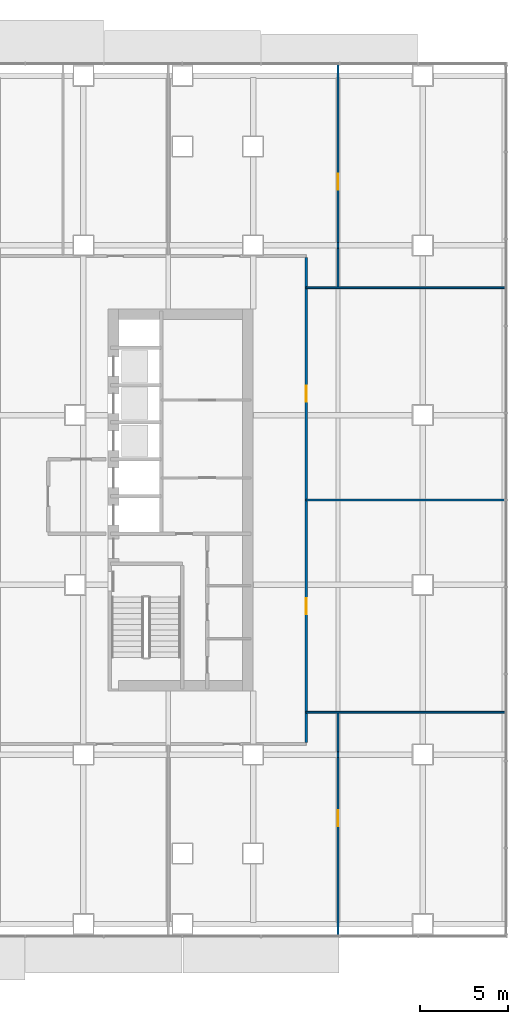
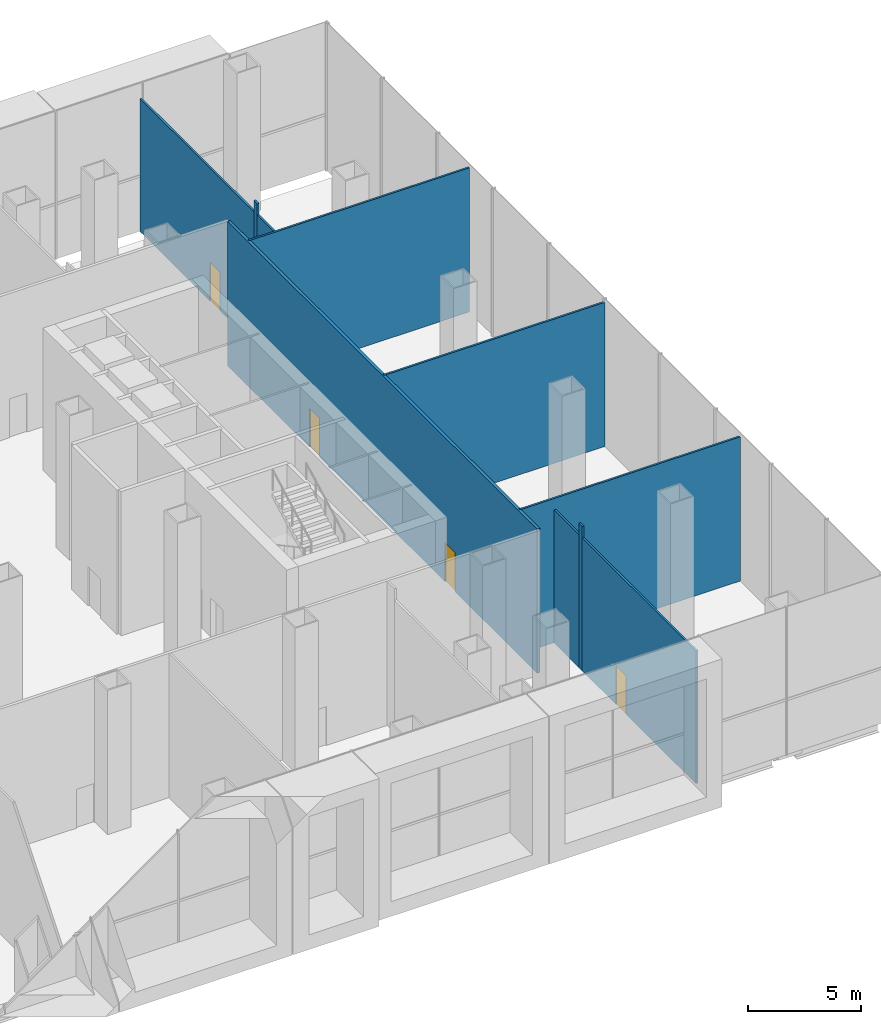
# One storey, part 19 of 24: 10 walls, 4 doors, 4 openings.
"""IFC4 building model written with IfcOpenShell, lengths in metres."""

from ifc_helpers import new_model, si_unit, direction, frame, frame_2d, origin, place, context, subcontext, project, spatial, rectangle, extrude, material, layer, layer_set, type_object, element, fill, save


model = new_model("IFC4")

# Units and contexts
model_context = context("Model", 3, precision=1e-05, world=origin(), true_north=direction((0.0, 1.0)))
body_context = subcontext(model_context, "Body", "Model", "MODEL_VIEW")
ifc_project = project(units=[si_unit("LENGTHUNIT", "METRE"), si_unit("AREAUNIT", "SQUARE_METRE"), si_unit("VOLUMEUNIT", "CUBIC_METRE"), si_unit("PLANEANGLEUNIT", "RADIAN"), si_unit("MASSUNIT", "GRAM", prefix="KILO")], contexts=[model_context])

# Site, building, storey
site_placement = place(None, origin())
site = spatial("IfcSite", under=ifc_project, at=site_placement, CompositionType="ELEMENT")
building_placement = place(site_placement, origin())
building = spatial("IfcBuilding", under=site, at=building_placement, Name="Cobrizo Arcos Hotel Tower", CompositionType="ELEMENT")
storey_placement = place(building_placement, frame((0.0, 0.0, 7.5)))
storey = spatial("IfcBuildingStorey", under=building, at=storey_placement, Name="L01", CompositionType="ELEMENT", Elevation=7.5)

# Wall, openings, doors
ifc_material_1 = material(Name="Gypsum board partition")
ifc_layer_1 = layer(ifc_material_1, 0.14990234375)
ifc_layer_set_1 = layer_set([ifc_layer_1], Name="Corridor wall EI 60 150")
wall_type_1 = type_object("IfcWallType", Name="Corridor wall EI 60 150", PredefinedType="PARTITIONING", material=ifc_layer_set_1)
wall_1_placement = place(storey_placement, frame((27.0, -13.72509765625, 0.0), z_axis=(0.0, 0.0, 1.0), x_axis=(0.0, 1.0, 0.0)))
wall_1 = element("IfcWall", 1, at=wall_1_placement, inside=storey, type_object=wall_type_1, Name="Partition 072", PredefinedType="PARTITIONING", context=body_context, shape_type="SweptSolid", body=[
    extrude(rectangle(XDim=27.4501953125, YDim=0.14990234375, at=frame_2d((13.72509765625, 0.0))), origin(), (0.0, 0.0, 1.0), 7.800048828125),
])
opening_1_placement = place(wall_1_placement, frame((7.27490234375, 0.0, 0.0)))
opening_1 = element("IfcOpeningElement", 2, at=opening_1_placement, cuts=wall_1, Name="Opening RD-23", PredefinedType="OPENING", context=body_context, shape_type="SweptSolid", body=[
    extrude(rectangle(XDim=0.89990234375, YDim=2.10009765625, at=frame_2d((0.449951171875, 1.050048828125))), frame((0.0, 0.0869140625, 0.0), z_axis=(0.0, -1.0, 0.0), x_axis=(1.0, 0.0, 0.0)), (0.0, 0.0, 1.0), 0.173828125),
])
opening_2_placement = place(wall_1_placement, frame((19.27490234375, 0.0, 0.0)))
opening_2 = element("IfcOpeningElement", 3, at=opening_2_placement, cuts=wall_1, Name="Opening RD-24", PredefinedType="OPENING", context=body_context, shape_type="SweptSolid", body=[
    extrude(rectangle(XDim=0.89990234375, YDim=2.10009765625, at=frame_2d((0.449951171875, 1.050048828125))), frame((0.0, 0.0869140625, 0.0), z_axis=(0.0, -1.0, 0.0), x_axis=(1.0, 0.0, 0.0)), (0.0, 0.0, 1.0), 0.173828125),
])
ifc_material_2 = material(Name="Timber door leaf", Category="wood")
door_type = type_object("IfcDoorType", Name="Room door FD30 900x2100", OperationType="SINGLE_SWING_LEFT", PredefinedType="DOOR", material=ifc_material_2)
door_1_placement = place(opening_1_placement, origin())
door_1 = element("IfcDoor", 4, at=door_1_placement, inside=storey, type_object=door_type, Name="Door RD-23", OperationType="SINGLE_SWING_LEFT", OverallHeight=2.10009765625, OverallWidth=0.89990234375, PredefinedType="DOOR", context=body_context, shape_type="SweptSolid", body=[
    extrude(rectangle(XDim=0.89990234375, YDim=2.10009765625, at=frame_2d((0.449951171875, 1.050048828125))), frame((0.0, 0.02490234375, 0.0), z_axis=(0.0, -1.0, 0.0), x_axis=(1.0, 0.0, 0.0)), (0.0, 0.0, 1.0), 0.050048828125),
])
fill(opening_1, door_1)
door_2_placement = place(opening_2_placement, origin())
door_2 = element("IfcDoor", 5, at=door_2_placement, inside=storey, type_object=door_type, Name="Door RD-24", OperationType="SINGLE_SWING_LEFT", OverallHeight=2.10009765625, OverallWidth=0.89990234375, PredefinedType="DOOR", context=body_context, shape_type="SweptSolid", body=[
    extrude(rectangle(XDim=0.89990234375, YDim=2.10009765625, at=frame_2d((0.449951171875, 1.050048828125))), frame((0.0, 0.02490234375, 0.0), z_axis=(0.0, -1.0, 0.0), x_axis=(1.0, 0.0, 0.0)), (0.0, 0.0, 1.0), 0.050048828125),
])
fill(opening_2, door_2)

# Walls
ifc_layer_2 = layer(ifc_material_1, 0.10009765625)
ifc_layer_set_2 = layer_set([ifc_layer_2], Name="Partition EI 30 100")
wall_type_2 = type_object("IfcWallType", Name="Partition EI 30 100", PredefinedType="PARTITIONING", material=ifc_layer_set_2)
for number, where, z_axis, x_axis, name in (
    (6, (27.0, -12.0, 0.0), (0.0, 0.0, 1.0), (1.0, 0.0, 0.0), "Partition 004"),
    (7, (27.0, 0.0, 0.0), (0.0, 0.0, 1.0), (1.0, 0.0, 0.0), "Partition 016"),
    (8, (27.0, 12.0, 0.0), (0.0, 0.0, 1.0), (1.0, 0.0, 0.0), "Partition 034"),
):
    element("IfcWall", number, at=place(storey_placement, frame(where, z_axis=z_axis, x_axis=x_axis)), inside=storey, type_object=wall_type_2, Name=name, PredefinedType="PARTITIONING", context=body_context, shape_type="SweptSolid", body=[
        extrude(rectangle(XDim=11.280029296875, YDim=0.10009765625, at=frame_2d((5.64013671875, 0.0))), origin(), (0.0, 0.0, 1.0), 7.800048828125),
    ])

# Wall, opening, door
wall_2_placement = place(storey_placement, frame((28.800048828125, -24.6298828125, 0.0), z_axis=(0.0, 0.0, 1.0), x_axis=(0.0, 1.0, 0.0)))
wall_2 = element("IfcWall", 9, at=wall_2_placement, inside=storey, type_object=wall_type_2, Name="Partition 073", PredefinedType="PARTITIONING", context=body_context, shape_type="SweptSolid", body=[
    extrude(rectangle(XDim=10.076171875, YDim=0.10009765625, at=frame_2d((5.0380859375, 0.0))), origin(), (0.0, 0.0, 1.0), 7.18310546875),
])
opening_3_placement = place(wall_2_placement, frame((6.179931640625, 0.0, 0.0)))
opening_3 = element("IfcOpeningElement", 10, at=opening_3_placement, cuts=wall_2, Name="Opening RD-32", PredefinedType="OPENING", context=body_context, shape_type="SweptSolid", body=[
    extrude(rectangle(XDim=0.89990234375, YDim=2.10009765625, at=frame_2d((0.449951171875, 1.050048828125))), frame((0.0, 0.06201171875, 0.0), z_axis=(0.0, -1.0, 0.0), x_axis=(1.0, 0.0, 0.0)), (0.0, 0.0, 1.0), 0.1240234375),
])
door_3_placement = place(opening_3_placement, origin())
door_3 = element("IfcDoor", 11, at=door_3_placement, inside=storey, type_object=door_type, Name="Door RD-32", OperationType="SINGLE_SWING_LEFT", OverallHeight=2.10009765625, OverallWidth=0.89990234375, PredefinedType="DOOR", context=body_context, shape_type="SweptSolid", body=[
    extrude(rectangle(XDim=0.89990234375, YDim=2.10009765625, at=frame_2d((0.449951171875, 1.050048828125))), frame((0.0, 0.02490234375, 0.0), z_axis=(0.0, -1.0, 0.0), x_axis=(1.0, 0.0, 0.0)), (0.0, 0.0, 1.0), 0.050048828125),
])
fill(opening_3, door_3)

# Walls
wall_3_placement = place(storey_placement, frame((28.800048828125, -14.553955078125, 0.0), z_axis=(0.0, 0.0, 1.0), x_axis=(0.0, 1.0, 0.0)))
element("IfcWall", 12, at=wall_3_placement, inside=storey, type_object=wall_type_2, Name="Partition 074", PredefinedType="PARTITIONING", context=body_context, shape_type="SweptSolid", body=[
    extrude(rectangle(XDim=0.307861328125, YDim=0.10009765625, at=frame_2d((0.15380859375, 0.0))), origin(), (0.0, 0.0, 1.0), 7.800048828125),
])
for number, where, z_axis, x_axis, name in (
    (13, (28.800048828125, -14.24609375, 0.0), (0.0, 0.0, 1.0), (0.0, 1.0, 0.0), "Partition 075"),
    (14, (28.800048828125, 12.050048828125, 0.0), (0.0, 0.0, 1.0), (0.0, 1.0, 0.0), "Partition 076"),
):
    element("IfcWall", number, at=place(storey_placement, frame(where, z_axis=z_axis, x_axis=x_axis)), inside=storey, type_object=wall_type_2, Name=name, PredefinedType="PARTITIONING", context=body_context, shape_type="SweptSolid", body=[
        extrude(rectangle(XDim=2.196044921875, YDim=0.10009765625, at=frame_2d((1.09814453125, 0.0))), origin(), (0.0, 0.0, 1.0), 7.18310546875),
    ])
wall_4_placement = place(storey_placement, frame((28.800048828125, 14.24609375, 0.0), z_axis=(0.0, 0.0, 1.0), x_axis=(0.0, 1.0, 0.0)))
element("IfcWall", 15, at=wall_4_placement, inside=storey, type_object=wall_type_2, Name="Partition 077", PredefinedType="PARTITIONING", context=body_context, shape_type="SweptSolid", body=[
    extrude(rectangle(XDim=0.307861328125, YDim=0.10009765625, at=frame_2d((0.15380859375, 0.0))), origin(), (0.0, 0.0, 1.0), 7.800048828125),
])

# Wall, opening, door
wall_5_placement = place(storey_placement, frame((28.800048828125, 14.5537109375, 0.0), z_axis=(0.0, 0.0, 1.0), x_axis=(0.0, 1.0, 0.0)))
wall_5 = element("IfcWall", 16, at=wall_5_placement, inside=storey, type_object=wall_type_2, Name="Partition 078", PredefinedType="PARTITIONING", context=body_context, shape_type="SweptSolid", body=[
    extrude(rectangle(XDim=10.076171875, YDim=0.10009765625, at=frame_2d((5.0380859375, 0.0))), origin(), (0.0, 0.0, 1.0), 7.18310546875),
])
opening_4_placement = place(wall_5_placement, frame((2.99609375, 0.0, 0.0)))
opening_4 = element("IfcOpeningElement", 17, at=opening_4_placement, cuts=wall_5, Name="Opening RD-33", PredefinedType="OPENING", context=body_context, shape_type="SweptSolid", body=[
    extrude(rectangle(XDim=0.89990234375, YDim=2.10009765625, at=frame_2d((0.449951171875, 1.050048828125))), frame((0.0, 0.06201171875, 0.0), z_axis=(0.0, -1.0, 0.0), x_axis=(1.0, 0.0, 0.0)), (0.0, 0.0, 1.0), 0.1240234375),
])
door_4_placement = place(opening_4_placement, origin())
door_4 = element("IfcDoor", 18, at=door_4_placement, inside=storey, type_object=door_type, Name="Door RD-33", OperationType="SINGLE_SWING_LEFT", OverallHeight=2.10009765625, OverallWidth=0.89990234375, PredefinedType="DOOR", context=body_context, shape_type="SweptSolid", body=[
    extrude(rectangle(XDim=0.89990234375, YDim=2.10009765625, at=frame_2d((0.449951171875, 1.050048828125))), frame((0.0, 0.02490234375, 0.0), z_axis=(0.0, -1.0, 0.0), x_axis=(1.0, 0.0, 0.0)), (0.0, 0.0, 1.0), 0.050048828125),
])
fill(opening_4, door_4)

save(model, "model.ifc")
